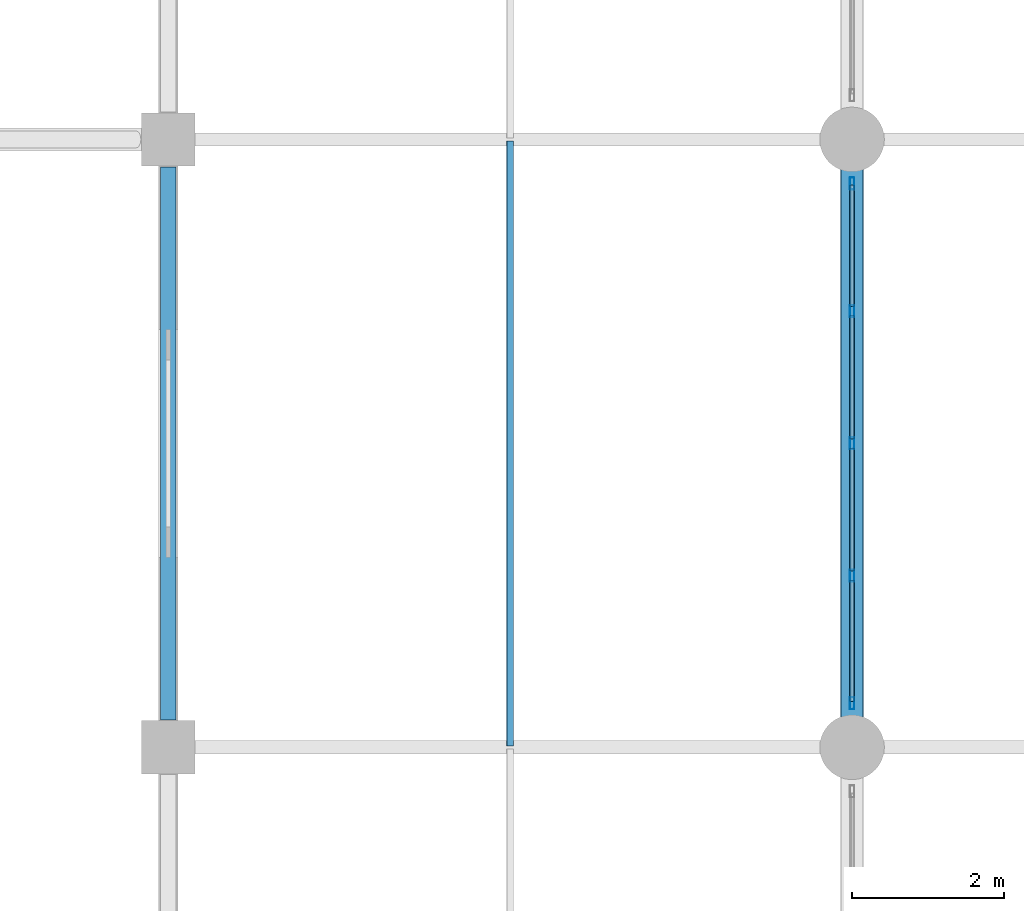
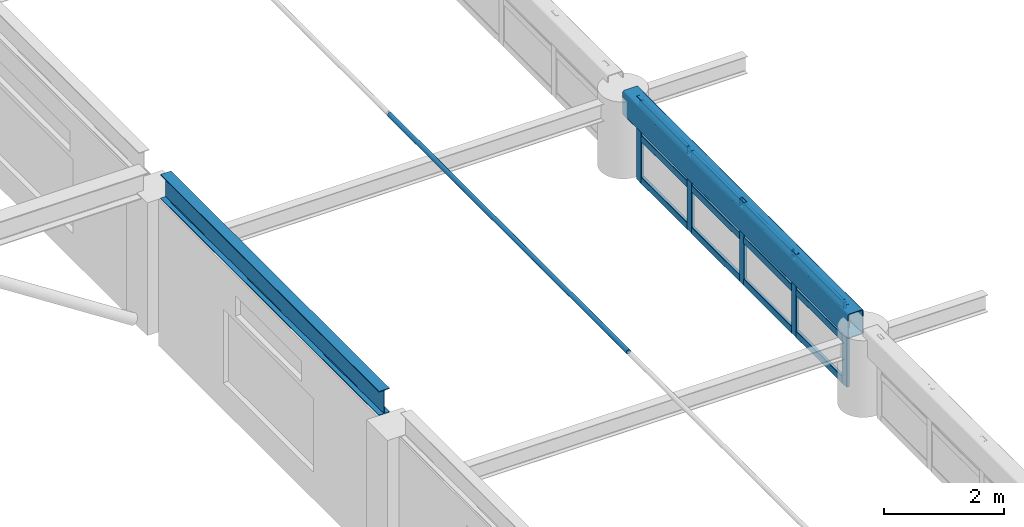
# One storey, part 39 of 128: 18 members, 2 beams, 1 element without a shape of its own.
"""IFC4 building model written with IfcOpenShell, lengths in metres."""

from ifc_helpers import new_model, si_unit, derived_unit, direction, frame, origin, origin_2d, place, context, subcontext, project, spatial, hollow_rectangle, hollow_circle, i_section, extrude, material, material_profile, profile_set, type_object, element, aggregate, save


model = new_model("IFC4")

# Units and contexts
model_context = context("Model", 3, precision=1e-05, world=origin(), true_north=direction((0.0, 1.0)))
body_context = subcontext(model_context, "Body", "Model", "MODEL_VIEW")
ifc_project = project(units=[si_unit("LENGTHUNIT", "METRE"), si_unit("AREAUNIT", "SQUARE_METRE"), si_unit("VOLUMEUNIT", "CUBIC_METRE"), si_unit("PLANEANGLEUNIT", "RADIAN"), si_unit("MASSUNIT", "GRAM", prefix="KILO"), derived_unit("THERMALTRANSMITTANCEUNIT", [(si_unit("MASSUNIT", "GRAM", prefix="KILO"), 1), (si_unit("TIMEUNIT", "SECOND"), -3), (si_unit("THERMODYNAMICTEMPERATUREUNIT", "KELVIN"), -1)])], contexts=[model_context])

# Site, building, storey
site_placement = place(None, origin())
site = spatial("IfcSite", under=ifc_project, at=site_placement, CompositionType="ELEMENT")
building_placement = place(site_placement, origin())
building = spatial("IfcBuilding", under=site, at=building_placement, Name="Zhenchuan Archway Interchange", CompositionType="ELEMENT")
storey_placement = place(building_placement, frame((0.0, 0.0, 14.39990234375)))
storey = spatial("IfcBuildingStorey", under=building, at=storey_placement, Name="L03", CompositionType="ELEMENT", Elevation=14.39990234375)

# Beams
ifc_material_1 = material(Name="Steel Q390", Category="steel")
ifc_material_profile_1 = material_profile(ifc_material_1, hollow_rectangle(XDim=0.300048828125, YDim=0.5, WallThickness=0.01611328125, InnerFilletRadius=0.01611328125, OuterFilletRadius=0.031982421875, at=origin_2d()), Name="RHS 500x300x16")
ifc_profile_set_1 = profile_set([ifc_material_profile_1], Name="Steel Q390")
beam_type_1 = type_object("IfcBeamType", Name="BM_RING_RHS500", PredefinedType="BEAM", material=ifc_profile_set_1)
beam_1_placement = place(storey_placement, frame((72.0, 56.25, 1.4501953125), z_axis=(0.0, 1.0, 0.0), x_axis=(-1.0, 0.0, 0.0)))
element("IfcBeam", 1, at=beam_1_placement, inside=storey, type_object=beam_type_1, Name="CONCOURSE CABLE-NET RING BEAM E-5", PredefinedType="BEAM", context=body_context, shape_type="SweptSolid", body=[
    extrude(hollow_rectangle(XDim=0.300048828125, YDim=0.5, WallThickness=0.01611328125, InnerFilletRadius=0.01611328125, OuterFilletRadius=0.031982421875, at=origin_2d()), origin(), (0.0, 0.0, 1.0), 7.5),
])
ifc_material_2 = material(Name="Steel Q355", Category="steel")
ifc_material_profile_2 = material_profile(ifc_material_2, i_section(OverallWidth=0.199951171875, OverallDepth=0.5, WebThickness=0.010009765625, FlangeThickness=0.01611328125, FilletRadius=0.02001953125, at=origin_2d()), Name="HN 500x200")
ifc_profile_set_2 = profile_set([ifc_material_profile_2], Name="Steel Q355")
beam_type_2 = type_object("IfcBeamType", Name="BM_STL_HN500", PredefinedType="BEAM", material=ifc_profile_set_2)
beam_2_placement = place(storey_placement, frame((63.0, 56.360107421875, 2.9501953125), z_axis=(0.0, 1.0, 0.0), x_axis=(-1.0, 0.0, 0.0)))
element("IfcBeam", 2, at=beam_2_placement, inside=storey, type_object=beam_type_2, Name="Concourse clerestory header beam E 56-64", PredefinedType="BEAM", context=body_context, shape_type="SweptSolid", body=[
    extrude(i_section(OverallWidth=0.199951171875, OverallDepth=0.5, WebThickness=0.010009765625, FlangeThickness=0.01611328125, FilletRadius=0.02001953125, at=origin_2d()), origin(), (0.0, 0.0, 1.0), 7.27978515625),
])

# Curtain wall, members
ifc_material_3 = material(Name="Anodised Aluminium", Category="aluminium")
curtain_wall_type = type_object("IfcCurtainWallType", Name="CW_UNIT_3", PredefinedType="NOTDEFINED", material=ifc_material_3)
curtain_wall_placement = place(storey_placement, origin())
curtain_wall = element("IfcCurtainWall", 3, at=curtain_wall_placement, inside=storey, type_object=curtain_wall_type, Name="Unitised curtain wall CW:L03:RING-E5", PredefinedType="NOTDEFINED")
ifc_material_profile_3 = material_profile(ifc_material_3, hollow_rectangle(XDim=0.06005859375, YDim=0.159912109375, WallThickness=0.00390625, InnerFilletRadius=0.00390625, OuterFilletRadius=0.008056640625, at=origin_2d()), Name="ALU 160x60x4")
ifc_profile_set_3 = profile_set([ifc_material_profile_3], Name="Anodised Aluminium")
member_type_1 = type_object("IfcMemberType", Name="CW_MUL_150", PredefinedType="MULLION", material=ifc_profile_set_3)
member_1_placement = place(storey_placement, frame((72.0, 56.580078125, 0.02001953125), z_axis=(0.0, 0.0, 1.0), x_axis=(1.0, 0.0, 0.0)))
member_1 = element("IfcMember", 4, at=member_1_placement, type_object=member_type_1, Name="CW:L03:RING-E5 mullion 0", PredefinedType="MULLION", context=body_context, shape_type="SweptSolid", body=[
    extrude(hollow_rectangle(XDim=0.06005859375, YDim=0.159912109375, WallThickness=0.00390625, InnerFilletRadius=0.00390625, OuterFilletRadius=0.008056640625, at=origin_2d()), origin(), (0.0, 0.0, 1.0), 1.68017578125),
])
member_2_placement = place(storey_placement, frame((72.0, 58.260009765625, 0.02001953125), z_axis=(0.0, 0.0, 1.0), x_axis=(1.0, 0.0, 0.0)))
member_2 = element("IfcMember", 5, at=member_2_placement, type_object=member_type_1, Name="CW:L03:RING-E5 mullion 1", PredefinedType="MULLION", context=body_context, shape_type="SweptSolid", body=[
    extrude(hollow_rectangle(XDim=0.06005859375, YDim=0.159912109375, WallThickness=0.00390625, InnerFilletRadius=0.00390625, OuterFilletRadius=0.008056640625, at=origin_2d()), origin(), (0.0, 0.0, 1.0), 1.68017578125),
])
member_3_placement = place(storey_placement, frame((72.0, 60.0, 0.02001953125), z_axis=(0.0, 0.0, 1.0), x_axis=(1.0, 0.0, 0.0)))
member_3 = element("IfcMember", 6, at=member_3_placement, type_object=member_type_1, Name="CW:L03:RING-E5 mullion 2", PredefinedType="MULLION", context=body_context, shape_type="SweptSolid", body=[
    extrude(hollow_rectangle(XDim=0.06005859375, YDim=0.159912109375, WallThickness=0.00390625, InnerFilletRadius=0.00390625, OuterFilletRadius=0.008056640625, at=origin_2d()), origin(), (0.0, 0.0, 1.0), 1.68017578125),
])
member_4_placement = place(storey_placement, frame((72.0, 61.739990234375, 0.02001953125), z_axis=(0.0, 0.0, 1.0), x_axis=(1.0, 0.0, 0.0)))
member_4 = element("IfcMember", 7, at=member_4_placement, type_object=member_type_1, Name="CW:L03:RING-E5 mullion 3", PredefinedType="MULLION", context=body_context, shape_type="SweptSolid", body=[
    extrude(hollow_rectangle(XDim=0.06005859375, YDim=0.159912109375, WallThickness=0.00390625, InnerFilletRadius=0.00390625, OuterFilletRadius=0.008056640625, at=origin_2d()), origin(), (0.0, 0.0, 1.0), 1.68017578125),
])
member_5_placement = place(storey_placement, frame((72.0, 63.419921875, 0.02001953125), z_axis=(0.0, 0.0, 1.0), x_axis=(1.0, 0.0, 0.0)))
member_5 = element("IfcMember", 8, at=member_5_placement, type_object=member_type_1, Name="CW:L03:RING-E5 mullion 4", PredefinedType="MULLION", context=body_context, shape_type="SweptSolid", body=[
    extrude(hollow_rectangle(XDim=0.06005859375, YDim=0.159912109375, WallThickness=0.00390625, InnerFilletRadius=0.00390625, OuterFilletRadius=0.008056640625, at=origin_2d()), origin(), (0.0, 0.0, 1.0), 1.68017578125),
])
ifc_material_profile_4 = material_profile(ifc_material_3, hollow_rectangle(XDim=0.06005859375, YDim=0.139892578125, WallThickness=0.00341796875, InnerFilletRadius=0.00341796875, OuterFilletRadius=0.007080078125, at=origin_2d()), Name="ALU 140x60x3.5")
ifc_profile_set_4 = profile_set([ifc_material_profile_4], Name="Anodised Aluminium")
member_type_2 = type_object("IfcMemberType", Name="CW_TRN_140", PredefinedType="USERDEFINED", material=ifc_profile_set_4)
member_6_placement = place(storey_placement, frame((72.0, 56.60009765625, 0.080078125), z_axis=(0.0, 1.0, 0.0), x_axis=(-1.0, 0.0, 0.0)))
member_6 = element("IfcMember", 9, at=member_6_placement, type_object=member_type_2, Name="CW:L03:RING-E5 transom 0-1", ObjectType="TRANSOM", PredefinedType="USERDEFINED", context=body_context, shape_type="SweptSolid", body=[
    extrude(hollow_rectangle(XDim=0.06005859375, YDim=0.139892578125, WallThickness=0.00341796875, InnerFilletRadius=0.00341796875, OuterFilletRadius=0.007080078125, at=origin_2d()), origin(), (0.0, 0.0, 1.0), 1.599853515625),
])
member_7_placement = place(storey_placement, frame((72.0, 56.60009765625, 0.93310546875), z_axis=(0.0, 1.0, 0.0), x_axis=(-1.0, 0.0, 0.0)))
member_7 = element("IfcMember", 10, at=member_7_placement, type_object=member_type_2, Name="CW:L03:RING-E5 transom 0-2", ObjectType="TRANSOM", PredefinedType="USERDEFINED", context=body_context, shape_type="SweptSolid", body=[
    extrude(hollow_rectangle(XDim=0.06005859375, YDim=0.139892578125, WallThickness=0.00341796875, InnerFilletRadius=0.00341796875, OuterFilletRadius=0.007080078125, at=origin_2d()), origin(), (0.0, 0.0, 1.0), 1.599853515625),
])
member_8_placement = place(storey_placement, frame((72.0, 56.60009765625, 1.6201171875), z_axis=(0.0, 1.0, 0.0), x_axis=(-1.0, 0.0, 0.0)))
member_8 = element("IfcMember", 11, at=member_8_placement, type_object=member_type_2, Name="CW:L03:RING-E5 transom 0-3", ObjectType="TRANSOM", PredefinedType="USERDEFINED", context=body_context, shape_type="SweptSolid", body=[
    extrude(hollow_rectangle(XDim=0.06005859375, YDim=0.139892578125, WallThickness=0.00341796875, InnerFilletRadius=0.00341796875, OuterFilletRadius=0.007080078125, at=origin_2d()), origin(), (0.0, 0.0, 1.0), 1.599853515625),
])
member_9_placement = place(storey_placement, frame((72.0, 58.320068359375, 0.080078125), z_axis=(0.0, 1.0, 0.0), x_axis=(-1.0, 0.0, 0.0)))
member_9 = element("IfcMember", 12, at=member_9_placement, type_object=member_type_2, Name="CW:L03:RING-E5 transom 1-1", ObjectType="TRANSOM", PredefinedType="USERDEFINED", context=body_context, shape_type="SweptSolid", body=[
    extrude(hollow_rectangle(XDim=0.06005859375, YDim=0.139892578125, WallThickness=0.00341796875, InnerFilletRadius=0.00341796875, OuterFilletRadius=0.007080078125, at=origin_2d()), origin(), (0.0, 0.0, 1.0), 1.619873046875),
])
member_10_placement = place(storey_placement, frame((72.0, 58.320068359375, 0.93310546875), z_axis=(0.0, 1.0, 0.0), x_axis=(-1.0, 0.0, 0.0)))
member_10 = element("IfcMember", 13, at=member_10_placement, type_object=member_type_2, Name="CW:L03:RING-E5 transom 1-2", ObjectType="TRANSOM", PredefinedType="USERDEFINED", context=body_context, shape_type="SweptSolid", body=[
    extrude(hollow_rectangle(XDim=0.06005859375, YDim=0.139892578125, WallThickness=0.00341796875, InnerFilletRadius=0.00341796875, OuterFilletRadius=0.007080078125, at=origin_2d()), origin(), (0.0, 0.0, 1.0), 1.619873046875),
])
member_11_placement = place(storey_placement, frame((72.0, 58.320068359375, 1.6201171875), z_axis=(0.0, 1.0, 0.0), x_axis=(-1.0, 0.0, 0.0)))
member_11 = element("IfcMember", 14, at=member_11_placement, type_object=member_type_2, Name="CW:L03:RING-E5 transom 1-3", ObjectType="TRANSOM", PredefinedType="USERDEFINED", context=body_context, shape_type="SweptSolid", body=[
    extrude(hollow_rectangle(XDim=0.06005859375, YDim=0.139892578125, WallThickness=0.00341796875, InnerFilletRadius=0.00341796875, OuterFilletRadius=0.007080078125, at=origin_2d()), origin(), (0.0, 0.0, 1.0), 1.619873046875),
])
member_12_placement = place(storey_placement, frame((72.0, 60.06005859375, 0.080078125), z_axis=(0.0, 1.0, 0.0), x_axis=(-1.0, 0.0, 0.0)))
member_12 = element("IfcMember", 15, at=member_12_placement, type_object=member_type_2, Name="CW:L03:RING-E5 transom 2-1", ObjectType="TRANSOM", PredefinedType="USERDEFINED", context=body_context, shape_type="SweptSolid", body=[
    extrude(hollow_rectangle(XDim=0.06005859375, YDim=0.139892578125, WallThickness=0.00341796875, InnerFilletRadius=0.00341796875, OuterFilletRadius=0.007080078125, at=origin_2d()), origin(), (0.0, 0.0, 1.0), 1.619873046875),
])
member_13_placement = place(storey_placement, frame((72.0, 60.06005859375, 0.93310546875), z_axis=(0.0, 1.0, 0.0), x_axis=(-1.0, 0.0, 0.0)))
member_13 = element("IfcMember", 16, at=member_13_placement, type_object=member_type_2, Name="CW:L03:RING-E5 transom 2-2", ObjectType="TRANSOM", PredefinedType="USERDEFINED", context=body_context, shape_type="SweptSolid", body=[
    extrude(hollow_rectangle(XDim=0.06005859375, YDim=0.139892578125, WallThickness=0.00341796875, InnerFilletRadius=0.00341796875, OuterFilletRadius=0.007080078125, at=origin_2d()), origin(), (0.0, 0.0, 1.0), 1.619873046875),
])
member_14_placement = place(storey_placement, frame((72.0, 60.06005859375, 1.6201171875), z_axis=(0.0, 1.0, 0.0), x_axis=(-1.0, 0.0, 0.0)))
member_14 = element("IfcMember", 17, at=member_14_placement, type_object=member_type_2, Name="CW:L03:RING-E5 transom 2-3", ObjectType="TRANSOM", PredefinedType="USERDEFINED", context=body_context, shape_type="SweptSolid", body=[
    extrude(hollow_rectangle(XDim=0.06005859375, YDim=0.139892578125, WallThickness=0.00341796875, InnerFilletRadius=0.00341796875, OuterFilletRadius=0.007080078125, at=origin_2d()), origin(), (0.0, 0.0, 1.0), 1.619873046875),
])
member_15_placement = place(storey_placement, frame((72.0, 61.800048828125, 0.080078125), z_axis=(0.0, 1.0, 0.0), x_axis=(-1.0, 0.0, 0.0)))
member_15 = element("IfcMember", 18, at=member_15_placement, type_object=member_type_2, Name="CW:L03:RING-E5 transom 3-1", ObjectType="TRANSOM", PredefinedType="USERDEFINED", context=body_context, shape_type="SweptSolid", body=[
    extrude(hollow_rectangle(XDim=0.06005859375, YDim=0.139892578125, WallThickness=0.00341796875, InnerFilletRadius=0.00341796875, OuterFilletRadius=0.007080078125, at=origin_2d()), origin(), (0.0, 0.0, 1.0), 1.599853515625),
])
member_16_placement = place(storey_placement, frame((72.0, 61.800048828125, 0.93310546875), z_axis=(0.0, 1.0, 0.0), x_axis=(-1.0, 0.0, 0.0)))
member_16 = element("IfcMember", 19, at=member_16_placement, type_object=member_type_2, Name="CW:L03:RING-E5 transom 3-2", ObjectType="TRANSOM", PredefinedType="USERDEFINED", context=body_context, shape_type="SweptSolid", body=[
    extrude(hollow_rectangle(XDim=0.06005859375, YDim=0.139892578125, WallThickness=0.00341796875, InnerFilletRadius=0.00341796875, OuterFilletRadius=0.007080078125, at=origin_2d()), origin(), (0.0, 0.0, 1.0), 1.599853515625),
])
member_17_placement = place(storey_placement, frame((72.0, 61.800048828125, 1.6201171875), z_axis=(0.0, 1.0, 0.0), x_axis=(-1.0, 0.0, 0.0)))
member_17 = element("IfcMember", 20, at=member_17_placement, type_object=member_type_2, Name="CW:L03:RING-E5 transom 3-3", ObjectType="TRANSOM", PredefinedType="USERDEFINED", context=body_context, shape_type="SweptSolid", body=[
    extrude(hollow_rectangle(XDim=0.06005859375, YDim=0.139892578125, WallThickness=0.00341796875, InnerFilletRadius=0.00341796875, OuterFilletRadius=0.007080078125, at=origin_2d()), origin(), (0.0, 0.0, 1.0), 1.599853515625),
])
aggregate(curtain_wall, [member_1, member_2, member_3, member_4, member_5, member_6, member_7, member_8, member_9, member_10, member_11, member_12, member_13, member_14, member_15, member_16, member_17])

# Member
ifc_material_profile_5 = material_profile(ifc_material_1, hollow_circle(Radius=0.04443359375, WallThickness=0.006103515625, at=origin_2d()), Name="CHS 89x6")
ifc_profile_set_5 = profile_set([ifc_material_profile_5], Name="Steel Q390")
member_type_3 = type_object("IfcMemberType", Name="MB_CBL_CHS89", PredefinedType="USERDEFINED", material=ifc_profile_set_5)
member_18_placement = place(storey_placement, frame((67.5, 56.02001953125, 2.60009765625), z_axis=(0.0, 1.0, 0.0), x_axis=(-1.0, 0.0, 0.0)))
element("IfcMember", 21, at=member_18_placement, inside=storey, type_object=member_type_3, Name="CONCOURSE ROOF CABLE longitudinal net strand 4-6", ObjectType="CABLE", PredefinedType="USERDEFINED", context=body_context, shape_type="SweptSolid", body=[
    extrude(hollow_circle(Radius=0.04443359375, WallThickness=0.006103515625, at=origin_2d()), origin(), (0.0, 0.0, 1.0), 7.9599609375),
])

save(model, "model.ifc")
